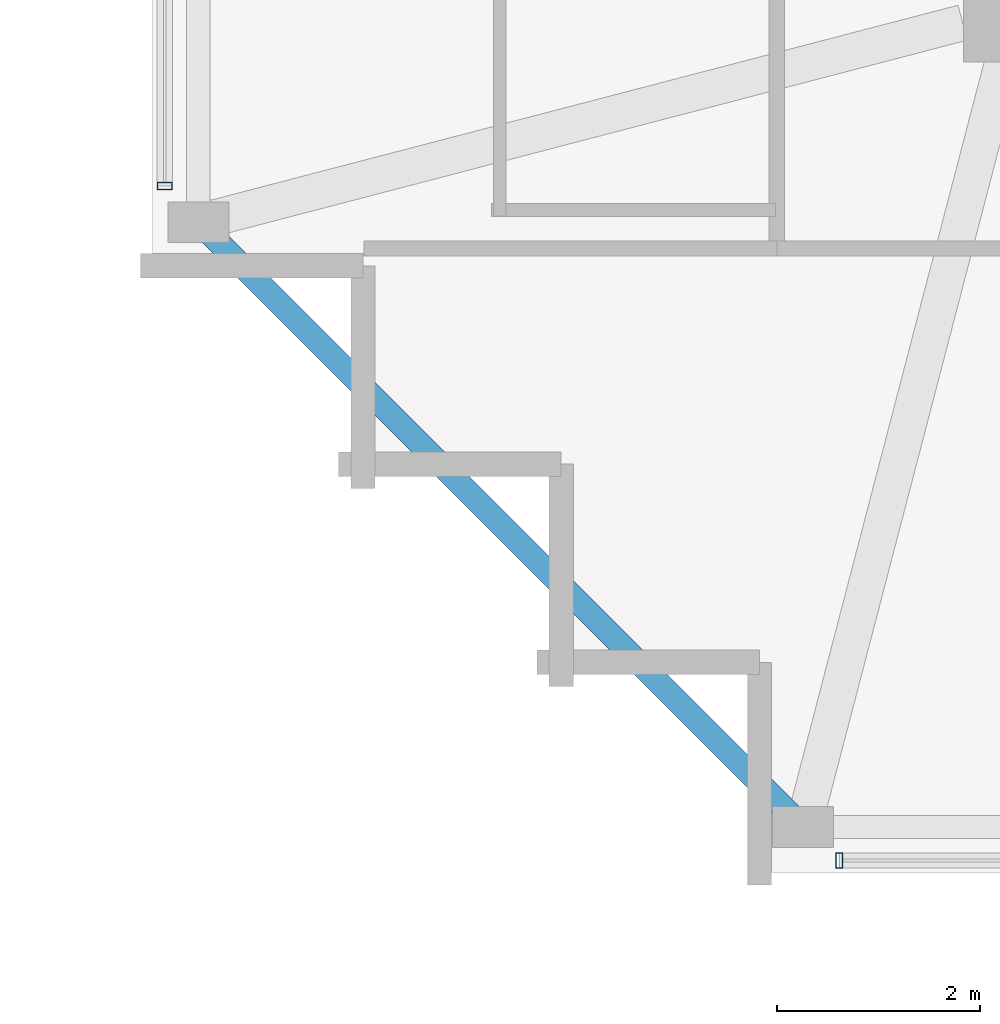
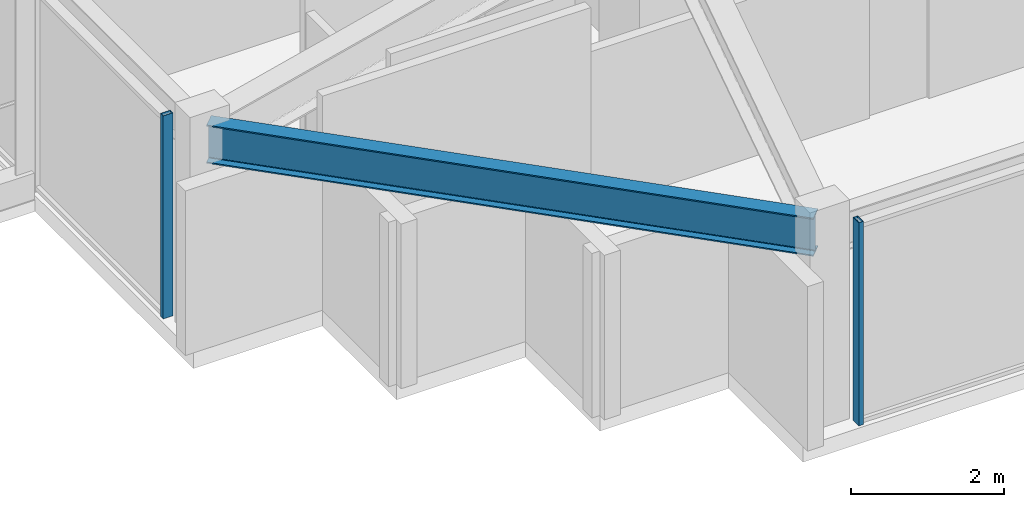
# One storey, part 2 of 31: 2 members, 1 beam, 2 elements without a shape of their own.
"""IFC4 building model written with IfcOpenShell, lengths in metres."""

from ifc_helpers import new_model, si_unit, direction, frame, origin, origin_2d, place, context, subcontext, project, spatial, hollow_rectangle, i_section, extrude, material, material_profile, profile_set, type_object, element, aggregate, save


model = new_model("IFC4")

# Units and contexts
model_context = context("Model", 3, precision=1e-05, world=origin(), true_north=direction((0.0, 1.0)))
body_context = subcontext(model_context, "Body", "Model", "MODEL_VIEW")
ifc_project = project(units=[si_unit("LENGTHUNIT", "METRE"), si_unit("AREAUNIT", "SQUARE_METRE"), si_unit("VOLUMEUNIT", "CUBIC_METRE"), si_unit("PLANEANGLEUNIT", "RADIAN"), si_unit("MASSUNIT", "GRAM", prefix="KILO")], contexts=[model_context])

# Site, building, storey
site_placement = place(None, origin())
site = spatial("IfcSite", under=ifc_project, at=site_placement, CompositionType="ELEMENT")
building_placement = place(site_placement, origin())
building = spatial("IfcBuilding", under=site, at=building_placement, Name="Kolvaren Belvedere", CompositionType="ELEMENT")
storey_placement = place(building_placement, frame((0.0, 0.0, 251.39990234375)))
storey = spatial("IfcBuildingStorey", under=building, at=storey_placement, Name="L73", CompositionType="ELEMENT", Elevation=251.39990234375)

# Beam
ifc_material_1 = material(Name="Structural steel ASTM A992 Grade 50", Category="steel")
ifc_material_profile_1 = material_profile(ifc_material_1, i_section(OverallWidth=0.22900390625, OverallDepth=0.612060546875, WebThickness=0.011962890625, FlangeThickness=0.01953125, FilletRadius=0.01806640625, at=origin_2d()), Name="W24X84")
ifc_profile_set_1 = profile_set([ifc_material_profile_1], Name="Structural steel ASTM A992 Grade 50")
beam_type = type_object("IfcBeamType", Name="BM-SPAN-W24X84", PredefinedType="SPANDREL", material=ifc_profile_set_1)
beam_placement = place(storey_placement, frame((-17.886474609375, -12.063720703125, 2.944091796875), z_axis=(0.707106781187, -0.707106781187, 0.0), x_axis=(0.707106781187, 0.707106781187, 0.0)))
element("IfcBeam", 1, at=beam_placement, inside=storey, type_object=beam_type, Name="L73 Perimeter Spandrel W1-S1", PredefinedType="SPANDREL", context=body_context, shape_type="SweptSolid", body=[
    extrude(i_section(OverallWidth=0.22900390625, OverallDepth=0.612060546875, WebThickness=0.011962890625, FlangeThickness=0.01953125, FilletRadius=0.01806640625, at=origin_2d()), origin(), (0.0, 0.0, 1.0), 8.234619140625),
])

# Curtain wall, member
ifc_material_2 = material(Name="Anodised pale-metal aluminium AA 6063-T6", Category="aluminium")
curtain_wall_type = type_object("IfcCurtainWallType", Name="CW-Z5-HIGH", PredefinedType="NOTDEFINED", material=ifc_material_2)
curtain_wall_1_placement = place(storey_placement, origin())
curtain_wall_1 = element("IfcCurtainWall", 2, at=curtain_wall_1_placement, inside=storey, type_object=curtain_wall_type, Name="L73 Unitised Curtain Wall FCW-L73-S-B3", PredefinedType="NOTDEFINED")
ifc_material_3 = material(Name="Anodised pale-metal aluminium AA 6063-T6", Category="aluminium")
ifc_material_profile_2 = material_profile(ifc_material_3, hollow_rectangle(XDim=0.070068359375, YDim=0.14990234375, WallThickness=0.004150390625, at=origin_2d()), Name="ALU-MUL-150X70")
ifc_profile_set_2 = profile_set([ifc_material_profile_2], Name="Anodised pale-metal aluminium AA 6063-T6")
member_type = type_object("IfcMemberType", Name="CW-MUL-150", PredefinedType="MULLION", material=ifc_profile_set_2)
member_1_placement = place(storey_placement, frame((-11.64501953125, -18.280029296875, 0.0), z_axis=(0.0, 0.0, 1.0), x_axis=(1.0, 0.0, 0.0)))
member_1 = element("IfcMember", 3, at=member_1_placement, type_object=member_type, Name="FCW-L73-S-B3 Unitised Mullion 3", PredefinedType="MULLION", context=body_context, shape_type="SweptSolid", body=[
    extrude(hollow_rectangle(XDim=0.070068359375, YDim=0.14990234375, WallThickness=0.004150390625, at=origin_2d()), origin(), (0.0, 0.0, 1.0), 3.25),
])
aggregate(curtain_wall_1, [member_1])

curtain_wall_2_placement = place(storey_placement, origin())
curtain_wall_2 = element("IfcCurtainWall", 4, at=curtain_wall_2_placement, inside=storey, type_object=curtain_wall_type, Name="L73 Unitised Curtain Wall FCW-L73-W1-B1", PredefinedType="NOTDEFINED")
member_2_placement = place(storey_placement, frame((-18.280029296875, -11.64501953125, 0.0), z_axis=(0.0, 0.0, 1.0), x_axis=(0.0, 1.0, 0.0)))
member_2 = element("IfcMember", 5, at=member_2_placement, type_object=member_type, Name="FCW-L73-W1-B1 Unitised Mullion 1", PredefinedType="MULLION", context=body_context, shape_type="SweptSolid", body=[
    extrude(hollow_rectangle(XDim=0.070068359375, YDim=0.14990234375, WallThickness=0.004150390625, at=origin_2d()), origin(), (0.0, 0.0, 1.0), 3.25),
])
aggregate(curtain_wall_2, [member_2])

save(model, "model.ifc")
